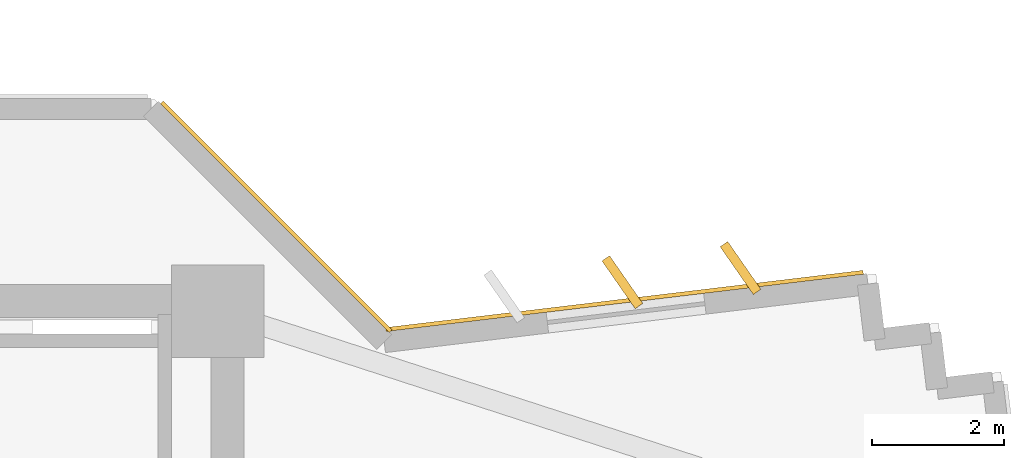
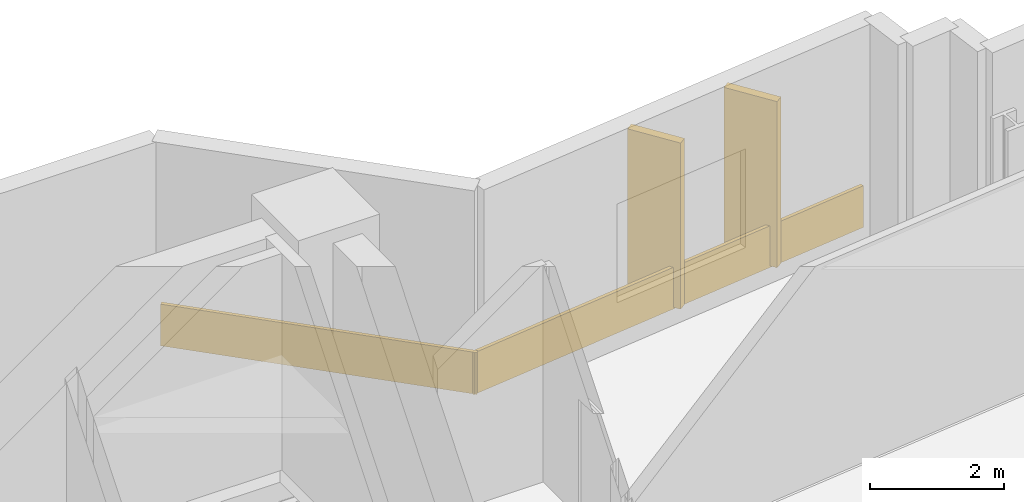
# One storey, part 15 of 15: 4 coverings.
"""IFC4 building model written with IfcOpenShell, lengths in metres."""

from ifc_helpers import new_model, si_unit, direction, frame, origin, origin_2d, place, context, subcontext, project, spatial, rectangle, extrude, source, transform, mapped, material, layer, layer_set, type_object, element, save


model = new_model("IFC4")

# Units and contexts
model_context = context("Model", 3, precision=1e-05, world=origin(), true_north=direction((0.0, 1.0)))
body_context = subcontext(model_context, "Body", "Model", "MODEL_VIEW")
ifc_project = project(units=[si_unit("LENGTHUNIT", "METRE"), si_unit("AREAUNIT", "SQUARE_METRE"), si_unit("VOLUMEUNIT", "CUBIC_METRE"), si_unit("PLANEANGLEUNIT", "RADIAN"), si_unit("MASSUNIT", "GRAM", prefix="KILO")], contexts=[model_context])

# Site, building, storey
site_placement = place(None, origin())
site = spatial("IfcSite", under=ifc_project, at=site_placement, CompositionType="ELEMENT")
building_placement = place(site_placement, origin())
building = spatial("IfcBuilding", under=site, at=building_placement, Name="Zahravan Cultural Tower", CompositionType="ELEMENT")
storey_placement = place(building_placement, frame((0.0, 0.0, 108.89990234375)))
storey = spatial("IfcBuildingStorey", under=building, at=storey_placement, Name="L24", CompositionType="ELEMENT", Elevation=108.89990234375)

# Coverings
ifc_material = material(Name="Terracotta ceramic cladding", Category="masonry")
ifc_layer = layer(ifc_material, 0.06005859375)
ifc_layer_set = layer_set([ifc_layer], Name="Terracotta ceramic cladding")
covering_type = type_object("IfcCoveringType", Name="COV-CLAD-TC60", PredefinedType="CLADDING", material=ifc_layer_set)
shared_shape_1 = source(origin(), body_context, "Body", "SweptSolid", [
    extrude(rectangle(XDim=0.8798828125, YDim=0.139892578125, at=origin_2d()), origin(), (0.0, 0.0, 1.0), 3.030029296875),
])
for number, where, z_axis, x_axis, name in (
    (1, (56.47314453125, 36.636962890625, 0.05029296875), (0.0, 0.0, 1.0), (-0.571286698852, 0.820750575823, 0.0), "L24 Herringbone Terracotta Fin 02"),
    (2, (58.260498046875, 36.851318359375, 0.05029296875), (0.0, 0.0, 1.0), (-0.571286698852, 0.820750575823, 0.0), "L24 Herringbone Terracotta Fin 03"),
):
    element("IfcCovering", number, at=place(storey_placement, frame(where, z_axis=z_axis, x_axis=x_axis)), inside=storey, type_object=covering_type, Name=name, PredefinedType="CLADDING", context=body_context, shape_type="MappedRepresentation", body=[
        mapped(shared_shape_1, transform((0.0, 0.0, 0.0), x_axis=(1.0, 0.0, 0.0), y_axis=(0.0, 1.0, 0.0), z_axis=(0.0, 0.0, 1.0), scale=1.0)),
    ])
shared_shape_2 = source(origin(), body_context, "Body", "SweptSolid", [
    extrude(rectangle(XDim=7.269775390625, YDim=0.06005859375, at=origin_2d()), origin(), (0.0, 0.0, 1.0), 0.760009765625),
])
covering_1_placement = place(storey_placement, frame((56.507080078125, 36.35400390625, 0.02001953125), z_axis=(0.0, 0.0, 1.0), x_axis=(0.99288260457, 0.119097160095, 0.0)))
element("IfcCovering", 3, at=covering_1_placement, inside=storey, type_object=covering_type, Name="L24 Terracotta Spandrel Cladding 01", PredefinedType="CLADDING", context=body_context, shape_type="MappedRepresentation", body=[
    mapped(shared_shape_2, transform((0.0, 0.0, 0.0), x_axis=(1.0, 0.0, 0.0), y_axis=(0.0, 1.0, 0.0), z_axis=(0.0, 0.0, 1.0), scale=1.0)),
])
shared_shape_3 = source(origin(), body_context, "Body", "SweptSolid", [
    extrude(rectangle(XDim=4.89013671875, YDim=0.06005859375, at=origin_2d()), origin(), (0.0, 0.0, 1.0), 0.760009765625),
])
covering_2_placement = place(storey_placement, frame((51.237060546875, 37.62646484375, 0.02001953125), z_axis=(0.0, 0.0, 1.0), x_axis=(0.707106781187, -0.707106781187, 0.0)))
element("IfcCovering", 4, at=covering_2_placement, inside=storey, type_object=covering_type, Name="L24 Terracotta Spandrel Cladding 52", PredefinedType="CLADDING", context=body_context, shape_type="MappedRepresentation", body=[
    mapped(shared_shape_3, transform((0.0, 0.0, 0.0), x_axis=(1.0, 0.0, 0.0), y_axis=(0.0, 1.0, 0.0), z_axis=(0.0, 0.0, 1.0), scale=1.0)),
])

save(model, "model.ifc")
